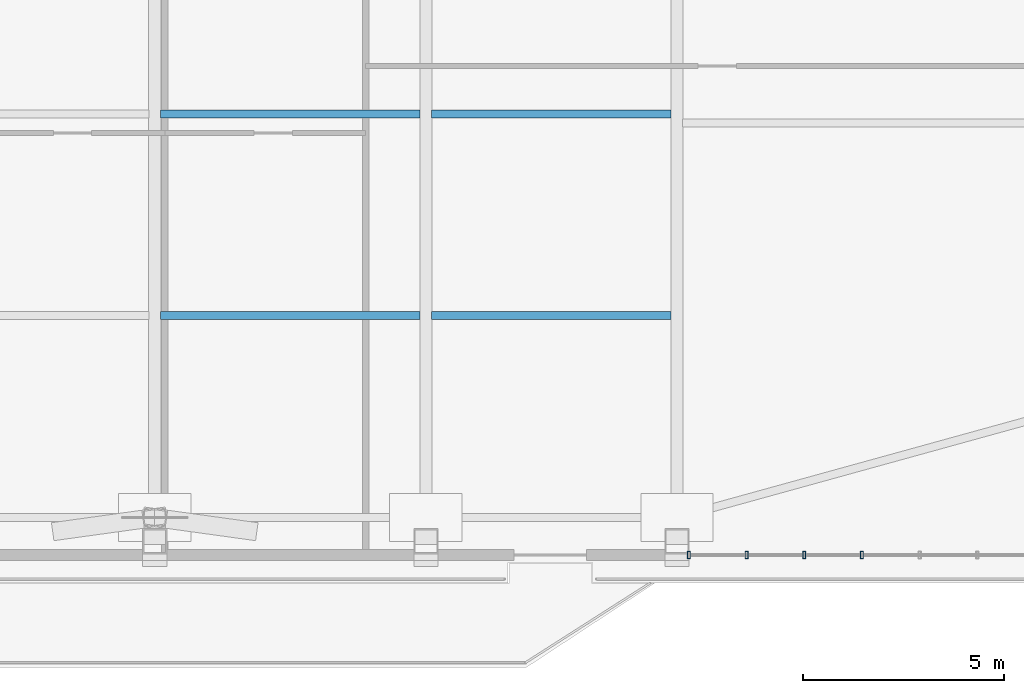
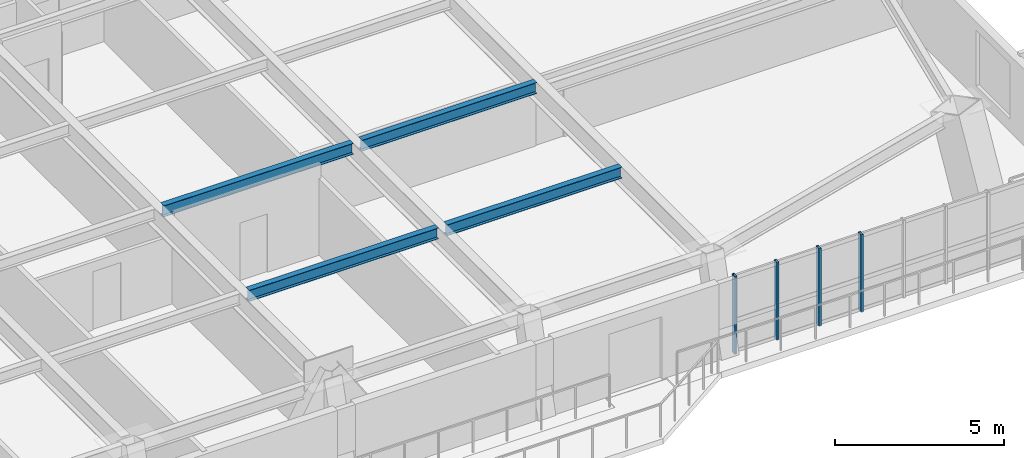
# One storey, part 4 of 16: 4 beams, 4 members, 1 element without a shape of its own.
"""IFC4 building model written with IfcOpenShell, lengths in metres."""

from ifc_helpers import new_model, si_unit, direction, frame, origin, origin_2d, place, context, subcontext, project, spatial, hollow_rectangle, i_section, extrude, source, transform, mapped, material, layer, layer_set, material_profile, profile_set, type_object, element, aggregate, save


model = new_model("IFC4")

# Units and contexts
model_context = context("Model", 3, precision=1e-05, world=origin(), true_north=direction((0.0, 1.0)))
body_context = subcontext(model_context, "Body", "Model", "MODEL_VIEW")
ifc_project = project(units=[si_unit("LENGTHUNIT", "METRE"), si_unit("AREAUNIT", "SQUARE_METRE"), si_unit("VOLUMEUNIT", "CUBIC_METRE"), si_unit("PLANEANGLEUNIT", "RADIAN"), si_unit("MASSUNIT", "GRAM", prefix="KILO")], contexts=[model_context])

# Site, building, storey
site_placement = place(None, origin())
site = spatial("IfcSite", under=ifc_project, at=site_placement, CompositionType="ELEMENT")
building_placement = place(site_placement, origin())
building = spatial("IfcBuilding", under=site, at=building_placement, Name="Giltprow Tower", CompositionType="ELEMENT")
storey_placement = place(building_placement, frame((0.0, 0.0, 209.699951171875)))
storey = spatial("IfcBuildingStorey", under=building, at=storey_placement, Name="L53", CompositionType="ELEMENT", Elevation=209.699951171875)

# Beams
ifc_material_1 = material(Name="Structural steel Q355B", Category="steel")
ifc_material_profile_1 = material_profile(ifc_material_1, i_section(OverallWidth=0.199951171875, OverallDepth=0.39990234375, WebThickness=0.008056640625, FlangeThickness=0.012939453125, at=origin_2d()), Name="HN 400x200x8x13")
ifc_profile_set_1 = profile_set([ifc_material_profile_1], Name="Structural steel Q355B")
beam_type = type_object("IfcBeamType", Name="BM-JOIST-HN400", PredefinedType="JOIST", material=ifc_profile_set_1)
shared_shape_1 = source(origin(), body_context, "Body", "SweptSolid", [
    extrude(i_section(OverallWidth=0.199951171875, OverallDepth=0.39990234375, WebThickness=0.008056640625, FlangeThickness=0.012939453125, at=origin_2d()), origin(), (0.0, 0.0, 1.0), 6.4599609375),
])
for number, where, z_axis, x_axis, name in (
    (1, (37.695068359375, 17.343994140625, 3.070068359375), (1.0, 0.0, 0.0), (0.0, 1.0, 0.0), "L53 Composite Floor Joist 1-3"),
    (2, (37.695068359375, 22.37109375, 3.070068359375), (1.0, 0.0, 0.0), (0.0, 1.0, 0.0), "L53 Composite Floor Joist 2-3"),
):
    element("IfcBeam", number, at=place(storey_placement, frame(where, z_axis=z_axis, x_axis=x_axis)), inside=storey, type_object=beam_type, Name=name, PredefinedType="JOIST", context=body_context, shape_type="MappedRepresentation", body=[
        mapped(shared_shape_1, transform((0.0, 0.0, 0.0), x_axis=(1.0, 0.0, 0.0), y_axis=(0.0, 1.0, 0.0), z_axis=(0.0, 0.0, 1.0), scale=1.0)),
    ])
shared_shape_2 = source(origin(), body_context, "Body", "SweptSolid", [
    extrude(i_section(OverallWidth=0.199951171875, OverallDepth=0.39990234375, WebThickness=0.008056640625, FlangeThickness=0.012939453125, at=origin_2d()), origin(), (0.0, 0.0, 1.0), 5.9599609375),
])
for number, where, z_axis, x_axis, name in (
    (3, (44.445068359375, 17.343994140625, 3.070068359375), (1.0, 0.0, 0.0), (0.0, 1.0, 0.0), "L53 Composite Floor Joist 1-4"),
    (4, (44.445068359375, 22.37109375, 3.070068359375), (1.0, 0.0, 0.0), (0.0, 1.0, 0.0), "L53 Composite Floor Joist 2-4"),
):
    element("IfcBeam", number, at=place(storey_placement, frame(where, z_axis=z_axis, x_axis=x_axis)), inside=storey, type_object=beam_type, Name=name, PredefinedType="JOIST", context=body_context, shape_type="MappedRepresentation", body=[
        mapped(shared_shape_2, transform((0.0, 0.0, 0.0), x_axis=(1.0, 0.0, 0.0), y_axis=(0.0, 1.0, 0.0), z_axis=(0.0, 0.0, 1.0), scale=1.0)),
    ])

# Curtain wall, members
ifc_material_2 = material(Name="Anodized bronze", Category="metal")
ifc_layer = layer(ifc_material_2, 0.179931640625, Name="Anodized bronze")
ifc_layer_set = layer_set([ifc_layer], Name="Anodized bronze")
curtain_wall_type = type_object("IfcCurtainWallType", Name="CW-HTL-BRONZE", PredefinedType="NOTDEFINED", material=ifc_layer_set)
curtain_wall_placement = place(storey_placement, origin())
curtain_wall = element("IfcCurtainWall", 5, at=curtain_wall_placement, inside=storey, type_object=curtain_wall_type, Name="L53 South Recessed Curtain Wall 6", PredefinedType="NOTDEFINED")
ifc_material_profile_2 = material_profile(ifc_material_2, hollow_rectangle(XDim=0.074951171875, YDim=0.179931640625, WallThickness=0.008056640625, at=origin_2d()), Name="RHS 180x75x8")
ifc_profile_set_2 = profile_set([ifc_material_profile_2], Name="Anodized bronze")
member_type = type_object("IfcMemberType", Name="CW-MULLION-180x75", PredefinedType="MULLION", material=ifc_profile_set_2)
shared_shape_3 = source(origin(), body_context, "Body", "SweptSolid", [
    extrude(hollow_rectangle(XDim=0.074951171875, YDim=0.179931640625, WallThickness=0.008056640625, at=origin_2d()), origin(), (0.0, 0.0, 1.0), 2.80517578125),
])
member_1_placement = place(storey_placement, frame((50.85009765625, 11.385986328125, -0.02001953125), z_axis=(0.0, 0.0, 1.0), x_axis=(1.0, 0.0, 0.0)))
member_1 = element("IfcMember", 6, at=member_1_placement, type_object=member_type, Name="L53 South Recessed Curtain Wall 6 Mullion 1", PredefinedType="MULLION", context=body_context, shape_type="MappedRepresentation", body=[
    mapped(shared_shape_3, transform((0.0, 0.0, 0.0), x_axis=(1.0, 0.0, 0.0), y_axis=(0.0, 1.0, 0.0), z_axis=(0.0, 0.0, 1.0), scale=1.0)),
])
member_2_placement = place(storey_placement, frame((52.284912109375, 11.385986328125, -0.02001953125), z_axis=(0.0, 0.0, 1.0), x_axis=(1.0, 0.0, 0.0)))
member_2 = element("IfcMember", 7, at=member_2_placement, type_object=member_type, Name="L53 South Recessed Curtain Wall 6 Mullion 2", PredefinedType="MULLION", context=body_context, shape_type="MappedRepresentation", body=[
    mapped(shared_shape_3, transform((0.0, 0.0, 0.0), x_axis=(1.0, 0.0, 0.0), y_axis=(0.0, 1.0, 0.0), z_axis=(0.0, 0.0, 1.0), scale=1.0)),
])
member_3_placement = place(storey_placement, frame((53.720947265625, 11.385986328125, -0.02001953125), z_axis=(0.0, 0.0, 1.0), x_axis=(1.0, 0.0, 0.0)))
member_3 = element("IfcMember", 8, at=member_3_placement, type_object=member_type, Name="L53 South Recessed Curtain Wall 6 Mullion 3", PredefinedType="MULLION", context=body_context, shape_type="MappedRepresentation", body=[
    mapped(shared_shape_3, transform((0.0, 0.0, 0.0), x_axis=(1.0, 0.0, 0.0), y_axis=(0.0, 1.0, 0.0), z_axis=(0.0, 0.0, 1.0), scale=1.0)),
])
member_4_placement = place(storey_placement, frame((55.156005859375, 11.385986328125, -0.02001953125), z_axis=(0.0, 0.0, 1.0), x_axis=(1.0, 0.0, 0.0)))
member_4 = element("IfcMember", 9, at=member_4_placement, type_object=member_type, Name="L53 South Recessed Curtain Wall 6 Mullion 4", PredefinedType="MULLION", context=body_context, shape_type="MappedRepresentation", body=[
    mapped(shared_shape_3, transform((0.0, 0.0, 0.0), x_axis=(1.0, 0.0, 0.0), y_axis=(0.0, 1.0, 0.0), z_axis=(0.0, 0.0, 1.0), scale=1.0)),
])
aggregate(curtain_wall, [member_1, member_2, member_3, member_4])

save(model, "model.ifc")
